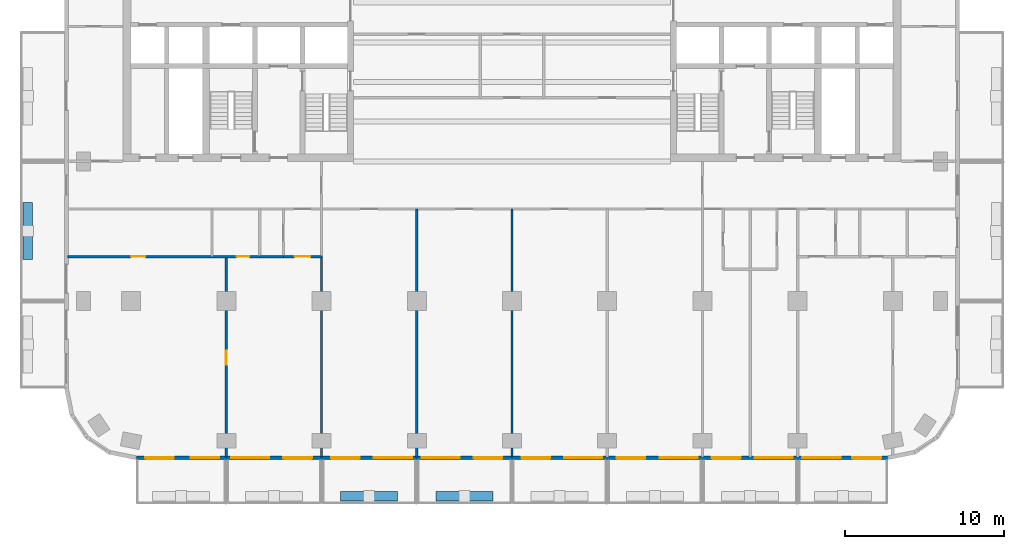
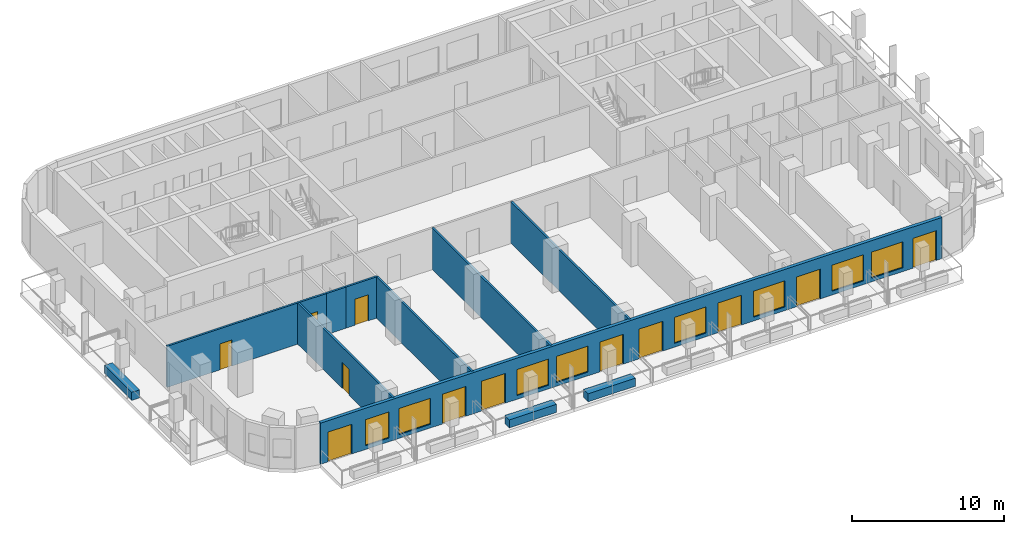
# One storey, part 2 of 11: 12 doors, 11 walls, 8 windows, 20 openings.
"""IFC4 building model written with IfcOpenShell, lengths in metres."""

from ifc_helpers import new_model, si_unit, direction, frame, frame_2d, origin, place, context, subcontext, project, spatial, rectangle, extrude, material, layer, layer_set, type_object, element, fill, save


model = new_model("IFC4")

# Units and contexts
model_context = context("Model", 3, precision=1e-05, world=origin(), true_north=direction((0.0, 1.0)))
body_context = subcontext(model_context, "Body", "Model", "MODEL_VIEW")
ifc_project = project(units=[si_unit("LENGTHUNIT", "METRE"), si_unit("AREAUNIT", "SQUARE_METRE"), si_unit("VOLUMEUNIT", "CUBIC_METRE"), si_unit("PLANEANGLEUNIT", "RADIAN"), si_unit("MASSUNIT", "GRAM", prefix="KILO")], contexts=[model_context])

# Site, building, storey
site_placement = place(None, origin())
site = spatial("IfcSite", under=ifc_project, at=site_placement, CompositionType="ELEMENT")
building_placement = place(site_placement, origin())
building = spatial("IfcBuilding", under=site, at=building_placement, Name="Torana Hotel and Residences", CompositionType="ELEMENT")
storey_placement = place(building_placement, frame((0.0, 0.0, 163.199951171875)))
storey = spatial("IfcBuildingStorey", under=building, at=storey_placement, Name="L42", CompositionType="ELEMENT", Elevation=163.199951171875)

# Wall, openings, doors, windows
ifc_material_1 = material(Name="Black aluminium composite panel", Category="aluminium")
ifc_layer_1 = layer(ifc_material_1, 0.00390625, Name="Cladding", Category="cladding")
ifc_material_2 = material(Name="Ventilated air cavity")
ifc_layer_2 = layer(ifc_material_2, 0.0400390625, Name="Ventilated cavity", Category="cavity")
ifc_material_3 = material(Name="Mineral wool insulation")
ifc_layer_3 = layer(ifc_material_3, 0.090087890625, Name="Insulation", Category="insulation")
ifc_material_4 = material(Name="Steel S280GD", Category="steel")
ifc_layer_4 = layer(ifc_material_4, 0.092041015625, Name="Steel stud frame", Category="structure")
ifc_material_5 = material(Name="Fire rated plasterboard")
ifc_layer_5 = layer(ifc_material_5, 0.011962890625, Name="Inner board", Category="finish")
ifc_layer_6 = layer(ifc_material_5, 0.011962890625, Name="Second board", Category="finish")
ifc_layer_set_1 = layer_set([ifc_layer_1, ifc_layer_2, ifc_layer_3, ifc_layer_4, ifc_layer_5, ifc_layer_6], Name="EW1 EXTERNAL WALL BLACK METAL CLAD 250")
wall_type_1 = type_object("IfcWallType", Name="EW1 EXTERNAL WALL BLACK METAL CLAD 250", PredefinedType="SOLIDWALL", material=ifc_layer_set_1)
wall_1_placement = place(storey_placement, frame((-23.67529296875, -33.675048828125, 0.0), z_axis=(0.0, 0.0, 1.0), x_axis=(1.0, 0.0, 0.0)))
wall_1 = element("IfcWall", 1, at=wall_1_placement, inside=storey, type_object=wall_type_1, Name="External wall L42 e0.14", PredefinedType="SOLIDWALL", context=body_context, shape_type="SweptSolid", body=[
    extrude(rectangle(XDim=47.3505859375, YDim=0.25, at=frame_2d((23.67529296875, 0.0))), origin(), (0.0, 0.0, 1.0), 3.320068359375),
])
opening_1_placement = place(wall_1_placement, frame((0.575439453125, 0.0, 0.0)))
opening_1 = element("IfcOpeningElement", 2, at=opening_1_placement, cuts=wall_1, Name="Opening L42-E01", PredefinedType="OPENING", context=body_context, shape_type="SweptSolid", body=[
    extrude(rectangle(XDim=1.800048828125, YDim=2.39990234375, at=frame_2d((0.89990234375, 1.199951171875))), frame((0.0, 0.135009765625, 0.0), z_axis=(0.0, -1.0, 0.0), x_axis=(1.0, 0.0, 0.0)), (0.0, 0.0, 1.0), 0.27001953125),
])
opening_2_placement = place(wall_1_placement, frame((3.42529296875, 0.0, 0.300048828125)))
opening_2 = element("IfcOpeningElement", 3, at=opening_2_placement, cuts=wall_1, Name="Opening W2", PredefinedType="OPENING", context=body_context, shape_type="SweptSolid", body=[
    extrude(rectangle(XDim=1.800048828125, YDim=2.10009765625, at=frame_2d((0.89990234375, 1.050048828125))), frame((0.0, 0.135009765625, 0.0), z_axis=(0.0, -1.0, 0.0), x_axis=(1.0, 0.0, 0.0)), (0.0, 0.0, 1.0), 0.27001953125),
])
opening_3_placement = place(wall_1_placement, frame((5.975341796875, 0.0, 0.300048828125)))
opening_3 = element("IfcOpeningElement", 4, at=opening_3_placement, cuts=wall_1, Name="Opening W1", PredefinedType="OPENING", context=body_context, shape_type="SweptSolid", body=[
    extrude(rectangle(XDim=2.39990234375, YDim=2.10009765625, at=frame_2d((1.199951171875, 1.050048828125))), frame((0.0, 0.135009765625, 0.0), z_axis=(0.0, -1.0, 0.0), x_axis=(1.0, 0.0, 0.0)), (0.0, 0.0, 1.0), 0.27001953125),
])
opening_4_placement = place(wall_1_placement, frame((9.275390625, 0.0, 0.0)))
opening_4 = element("IfcOpeningElement", 5, at=opening_4_placement, cuts=wall_1, Name="Opening L42-E02", PredefinedType="OPENING", context=body_context, shape_type="SweptSolid", body=[
    extrude(rectangle(XDim=1.800048828125, YDim=2.39990234375, at=frame_2d((0.89990234375, 1.199951171875))), frame((0.0, 0.135009765625, 0.0), z_axis=(0.0, -1.0, 0.0), x_axis=(1.0, 0.0, 0.0)), (0.0, 0.0, 1.0), 0.27001953125),
])
opening_5_placement = place(wall_1_placement, frame((12.275390625, 0.0, 0.0)))
opening_5 = element("IfcOpeningElement", 6, at=opening_5_placement, cuts=wall_1, Name="Opening L42-E03", PredefinedType="OPENING", context=body_context, shape_type="SweptSolid", body=[
    extrude(rectangle(XDim=1.800048828125, YDim=2.39990234375, at=frame_2d((0.89990234375, 1.199951171875))), frame((0.0, 0.135009765625, 0.0), z_axis=(0.0, -1.0, 0.0), x_axis=(1.0, 0.0, 0.0)), (0.0, 0.0, 1.0), 0.27001953125),
])
opening_6_placement = place(wall_1_placement, frame((14.975341796875, 0.0, 0.300048828125)))
opening_6 = element("IfcOpeningElement", 7, at=opening_6_placement, cuts=wall_1, Name="Opening W1", PredefinedType="OPENING", context=body_context, shape_type="SweptSolid", body=[
    extrude(rectangle(XDim=2.39990234375, YDim=2.10009765625, at=frame_2d((1.199951171875, 1.050048828125))), frame((0.0, 0.135009765625, 0.0), z_axis=(0.0, -1.0, 0.0), x_axis=(1.0, 0.0, 0.0)), (0.0, 0.0, 1.0), 0.27001953125),
])
opening_7_placement = place(wall_1_placement, frame((17.975341796875, 0.0, 0.300048828125)))
opening_7 = element("IfcOpeningElement", 8, at=opening_7_placement, cuts=wall_1, Name="Opening W1", PredefinedType="OPENING", context=body_context, shape_type="SweptSolid", body=[
    extrude(rectangle(XDim=2.39990234375, YDim=2.10009765625, at=frame_2d((1.199951171875, 1.050048828125))), frame((0.0, 0.135009765625, 0.0), z_axis=(0.0, -1.0, 0.0), x_axis=(1.0, 0.0, 0.0)), (0.0, 0.0, 1.0), 0.27001953125),
])
opening_8_placement = place(wall_1_placement, frame((21.275390625, 0.0, 0.0)))
opening_8 = element("IfcOpeningElement", 9, at=opening_8_placement, cuts=wall_1, Name="Opening L42-E04", PredefinedType="OPENING", context=body_context, shape_type="SweptSolid", body=[
    extrude(rectangle(XDim=1.800048828125, YDim=2.39990234375, at=frame_2d((0.89990234375, 1.199951171875))), frame((0.0, 0.135009765625, 0.0), z_axis=(0.0, -1.0, 0.0), x_axis=(1.0, 0.0, 0.0)), (0.0, 0.0, 1.0), 0.27001953125),
])
opening_9_placement = place(wall_1_placement, frame((24.275390625, 0.0, 0.0)))
opening_9 = element("IfcOpeningElement", 10, at=opening_9_placement, cuts=wall_1, Name="Opening L42-E05", PredefinedType="OPENING", context=body_context, shape_type="SweptSolid", body=[
    extrude(rectangle(XDim=1.800048828125, YDim=2.39990234375, at=frame_2d((0.89990234375, 1.199951171875))), frame((0.0, 0.135009765625, 0.0), z_axis=(0.0, -1.0, 0.0), x_axis=(1.0, 0.0, 0.0)), (0.0, 0.0, 1.0), 0.27001953125),
])
opening_10_placement = place(wall_1_placement, frame((26.975341796875, 0.0, 0.300048828125)))
opening_10 = element("IfcOpeningElement", 11, at=opening_10_placement, cuts=wall_1, Name="Opening W1", PredefinedType="OPENING", context=body_context, shape_type="SweptSolid", body=[
    extrude(rectangle(XDim=2.39990234375, YDim=2.10009765625, at=frame_2d((1.199951171875, 1.050048828125))), frame((0.0, 0.135009765625, 0.0), z_axis=(0.0, -1.0, 0.0), x_axis=(1.0, 0.0, 0.0)), (0.0, 0.0, 1.0), 0.27001953125),
])
opening_11_placement = place(wall_1_placement, frame((30.275390625, 0.0, 0.0)))
opening_11 = element("IfcOpeningElement", 12, at=opening_11_placement, cuts=wall_1, Name="Opening L42-E06", PredefinedType="OPENING", context=body_context, shape_type="SweptSolid", body=[
    extrude(rectangle(XDim=1.800048828125, YDim=2.39990234375, at=frame_2d((0.89990234375, 1.199951171875))), frame((0.0, 0.135009765625, 0.0), z_axis=(0.0, -1.0, 0.0), x_axis=(1.0, 0.0, 0.0)), (0.0, 0.0, 1.0), 0.27001953125),
])
opening_12_placement = place(wall_1_placement, frame((32.975341796875, 0.0, 0.300048828125)))
opening_12 = element("IfcOpeningElement", 13, at=opening_12_placement, cuts=wall_1, Name="Opening W1", PredefinedType="OPENING", context=body_context, shape_type="SweptSolid", body=[
    extrude(rectangle(XDim=2.39990234375, YDim=2.10009765625, at=frame_2d((1.199951171875, 1.050048828125))), frame((0.0, 0.135009765625, 0.0), z_axis=(0.0, -1.0, 0.0), x_axis=(1.0, 0.0, 0.0)), (0.0, 0.0, 1.0), 0.27001953125),
])
opening_13_placement = place(wall_1_placement, frame((36.275390625, 0.0, 0.0)))
opening_13 = element("IfcOpeningElement", 14, at=opening_13_placement, cuts=wall_1, Name="Opening L42-E07", PredefinedType="OPENING", context=body_context, shape_type="SweptSolid", body=[
    extrude(rectangle(XDim=1.800048828125, YDim=2.39990234375, at=frame_2d((0.89990234375, 1.199951171875))), frame((0.0, 0.135009765625, 0.0), z_axis=(0.0, -1.0, 0.0), x_axis=(1.0, 0.0, 0.0)), (0.0, 0.0, 1.0), 0.27001953125),
])
opening_14_placement = place(wall_1_placement, frame((38.975341796875, 0.0, 0.300048828125)))
opening_14 = element("IfcOpeningElement", 15, at=opening_14_placement, cuts=wall_1, Name="Opening W1", PredefinedType="OPENING", context=body_context, shape_type="SweptSolid", body=[
    extrude(rectangle(XDim=2.39990234375, YDim=2.10009765625, at=frame_2d((1.199951171875, 1.050048828125))), frame((0.0, 0.135009765625, 0.0), z_axis=(0.0, -1.0, 0.0), x_axis=(1.0, 0.0, 0.0)), (0.0, 0.0, 1.0), 0.27001953125),
])
opening_15_placement = place(wall_1_placement, frame((41.975341796875, 0.0, 0.300048828125)))
opening_15 = element("IfcOpeningElement", 16, at=opening_15_placement, cuts=wall_1, Name="Opening W1", PredefinedType="OPENING", context=body_context, shape_type="SweptSolid", body=[
    extrude(rectangle(XDim=2.39990234375, YDim=2.10009765625, at=frame_2d((1.199951171875, 1.050048828125))), frame((0.0, 0.135009765625, 0.0), z_axis=(0.0, -1.0, 0.0), x_axis=(1.0, 0.0, 0.0)), (0.0, 0.0, 1.0), 0.27001953125),
])
opening_16_placement = place(wall_1_placement, frame((45.12548828125, 0.0, 0.0)))
opening_16 = element("IfcOpeningElement", 17, at=opening_16_placement, cuts=wall_1, Name="Opening L42-E08", PredefinedType="OPENING", context=body_context, shape_type="SweptSolid", body=[
    extrude(rectangle(XDim=1.800048828125, YDim=2.39990234375, at=frame_2d((0.89990234375, 1.199951171875))), frame((0.0, 0.135009765625, 0.0), z_axis=(0.0, -1.0, 0.0), x_axis=(1.0, 0.0, 0.0)), (0.0, 0.0, 1.0), 0.27001953125),
])
ifc_material_6 = material(Name="Dark glass in black aluminium frame", Category="aluminium")
door_type_1 = type_object("IfcDoorType", Name="DB1 BALCONY DOOR 1800x2400", OperationType="DOUBLE_DOOR_SINGLE_SWING", PredefinedType="DOOR", material=ifc_material_6)
door_1_placement = place(opening_1_placement, origin())
door_1 = element("IfcDoor", 18, at=door_1_placement, inside=storey, type_object=door_type_1, Name="Balcony door L42", OperationType="DOUBLE_DOOR_SINGLE_SWING", OverallHeight=2.39990234375, OverallWidth=1.800048828125, PredefinedType="DOOR", context=body_context, shape_type="SweptSolid", body=[
    extrude(rectangle(XDim=1.800048828125, YDim=2.39990234375, at=frame_2d((0.89990234375, 1.199951171875))), frame((0.0, 0.02490234375, 0.0), z_axis=(0.0, -1.0, 0.0), x_axis=(1.0, 0.0, 0.0)), (0.0, 0.0, 1.0), 0.050048828125),
])
fill(opening_1, door_1)
door_2_placement = place(opening_4_placement, origin())
door_2 = element("IfcDoor", 19, at=door_2_placement, inside=storey, type_object=door_type_1, Name="Balcony door L42", OperationType="DOUBLE_DOOR_SINGLE_SWING", OverallHeight=2.39990234375, OverallWidth=1.800048828125, PredefinedType="DOOR", context=body_context, shape_type="SweptSolid", body=[
    extrude(rectangle(XDim=1.800048828125, YDim=2.39990234375, at=frame_2d((0.89990234375, 1.199951171875))), frame((0.0, 0.02490234375, 0.0), z_axis=(0.0, -1.0, 0.0), x_axis=(1.0, 0.0, 0.0)), (0.0, 0.0, 1.0), 0.050048828125),
])
fill(opening_4, door_2)
door_3_placement = place(opening_5_placement, origin())
door_3 = element("IfcDoor", 20, at=door_3_placement, inside=storey, type_object=door_type_1, Name="Balcony door L42", OperationType="DOUBLE_DOOR_SINGLE_SWING", OverallHeight=2.39990234375, OverallWidth=1.800048828125, PredefinedType="DOOR", context=body_context, shape_type="SweptSolid", body=[
    extrude(rectangle(XDim=1.800048828125, YDim=2.39990234375, at=frame_2d((0.89990234375, 1.199951171875))), frame((0.0, 0.02490234375, 0.0), z_axis=(0.0, -1.0, 0.0), x_axis=(1.0, 0.0, 0.0)), (0.0, 0.0, 1.0), 0.050048828125),
])
fill(opening_5, door_3)
door_4_placement = place(opening_8_placement, origin())
door_4 = element("IfcDoor", 21, at=door_4_placement, inside=storey, type_object=door_type_1, Name="Balcony door L42", OperationType="DOUBLE_DOOR_SINGLE_SWING", OverallHeight=2.39990234375, OverallWidth=1.800048828125, PredefinedType="DOOR", context=body_context, shape_type="SweptSolid", body=[
    extrude(rectangle(XDim=1.800048828125, YDim=2.39990234375, at=frame_2d((0.89990234375, 1.199951171875))), frame((0.0, 0.02490234375, 0.0), z_axis=(0.0, -1.0, 0.0), x_axis=(1.0, 0.0, 0.0)), (0.0, 0.0, 1.0), 0.050048828125),
])
fill(opening_8, door_4)
door_5_placement = place(opening_9_placement, origin())
door_5 = element("IfcDoor", 22, at=door_5_placement, inside=storey, type_object=door_type_1, Name="Balcony door L42", OperationType="DOUBLE_DOOR_SINGLE_SWING", OverallHeight=2.39990234375, OverallWidth=1.800048828125, PredefinedType="DOOR", context=body_context, shape_type="SweptSolid", body=[
    extrude(rectangle(XDim=1.800048828125, YDim=2.39990234375, at=frame_2d((0.89990234375, 1.199951171875))), frame((0.0, 0.02490234375, 0.0), z_axis=(0.0, -1.0, 0.0), x_axis=(1.0, 0.0, 0.0)), (0.0, 0.0, 1.0), 0.050048828125),
])
fill(opening_9, door_5)
door_6_placement = place(opening_11_placement, origin())
door_6 = element("IfcDoor", 23, at=door_6_placement, inside=storey, type_object=door_type_1, Name="Balcony door L42", OperationType="DOUBLE_DOOR_SINGLE_SWING", OverallHeight=2.39990234375, OverallWidth=1.800048828125, PredefinedType="DOOR", context=body_context, shape_type="SweptSolid", body=[
    extrude(rectangle(XDim=1.800048828125, YDim=2.39990234375, at=frame_2d((0.89990234375, 1.199951171875))), frame((0.0, 0.02490234375, 0.0), z_axis=(0.0, -1.0, 0.0), x_axis=(1.0, 0.0, 0.0)), (0.0, 0.0, 1.0), 0.050048828125),
])
fill(opening_11, door_6)
door_7_placement = place(opening_13_placement, origin())
door_7 = element("IfcDoor", 24, at=door_7_placement, inside=storey, type_object=door_type_1, Name="Balcony door L42", OperationType="DOUBLE_DOOR_SINGLE_SWING", OverallHeight=2.39990234375, OverallWidth=1.800048828125, PredefinedType="DOOR", context=body_context, shape_type="SweptSolid", body=[
    extrude(rectangle(XDim=1.800048828125, YDim=2.39990234375, at=frame_2d((0.89990234375, 1.199951171875))), frame((0.0, 0.02490234375, 0.0), z_axis=(0.0, -1.0, 0.0), x_axis=(1.0, 0.0, 0.0)), (0.0, 0.0, 1.0), 0.050048828125),
])
fill(opening_13, door_7)
door_8_placement = place(opening_16_placement, origin())
door_8 = element("IfcDoor", 25, at=door_8_placement, inside=storey, type_object=door_type_1, Name="Balcony door L42", OperationType="DOUBLE_DOOR_SINGLE_SWING", OverallHeight=2.39990234375, OverallWidth=1.800048828125, PredefinedType="DOOR", context=body_context, shape_type="SweptSolid", body=[
    extrude(rectangle(XDim=1.800048828125, YDim=2.39990234375, at=frame_2d((0.89990234375, 1.199951171875))), frame((0.0, 0.02490234375, 0.0), z_axis=(0.0, -1.0, 0.0), x_axis=(1.0, 0.0, 0.0)), (0.0, 0.0, 1.0), 0.050048828125),
])
fill(opening_16, door_8)
ifc_material_7 = material(Name="Dark glass in black aluminium frame", Category="aluminium")
window_type_1 = type_object("IfcWindowType", Name="W1 HOTEL ROOM WINDOW 2400x2100", PartitioningType="SINGLE_PANEL", PredefinedType="WINDOW", material=ifc_material_7)
window_1_placement = place(opening_3_placement, origin())
window_1 = element("IfcWindow", 26, at=window_1_placement, inside=storey, type_object=window_type_1, Name="Window L42", OverallHeight=2.10009765625, OverallWidth=2.39990234375, PartitioningType="SINGLE_PANEL", PredefinedType="WINDOW", context=body_context, shape_type="SweptSolid", body=[
    extrude(rectangle(XDim=2.39990234375, YDim=2.10009765625, at=frame_2d((1.199951171875, 1.050048828125))), frame((0.0, 0.030029296875, 0.0), z_axis=(0.0, -1.0, 0.0), x_axis=(1.0, 0.0, 0.0)), (0.0, 0.0, 1.0), 0.06005859375),
])
fill(opening_3, window_1)
window_2_placement = place(opening_6_placement, origin())
window_2 = element("IfcWindow", 27, at=window_2_placement, inside=storey, type_object=window_type_1, Name="Window L42", OverallHeight=2.10009765625, OverallWidth=2.39990234375, PartitioningType="SINGLE_PANEL", PredefinedType="WINDOW", context=body_context, shape_type="SweptSolid", body=[
    extrude(rectangle(XDim=2.39990234375, YDim=2.10009765625, at=frame_2d((1.199951171875, 1.050048828125))), frame((0.0, 0.030029296875, 0.0), z_axis=(0.0, -1.0, 0.0), x_axis=(1.0, 0.0, 0.0)), (0.0, 0.0, 1.0), 0.06005859375),
])
fill(opening_6, window_2)
window_3_placement = place(opening_7_placement, origin())
window_3 = element("IfcWindow", 28, at=window_3_placement, inside=storey, type_object=window_type_1, Name="Window L42", OverallHeight=2.10009765625, OverallWidth=2.39990234375, PartitioningType="SINGLE_PANEL", PredefinedType="WINDOW", context=body_context, shape_type="SweptSolid", body=[
    extrude(rectangle(XDim=2.39990234375, YDim=2.10009765625, at=frame_2d((1.199951171875, 1.050048828125))), frame((0.0, 0.030029296875, 0.0), z_axis=(0.0, -1.0, 0.0), x_axis=(1.0, 0.0, 0.0)), (0.0, 0.0, 1.0), 0.06005859375),
])
fill(opening_7, window_3)
window_4_placement = place(opening_10_placement, origin())
window_4 = element("IfcWindow", 29, at=window_4_placement, inside=storey, type_object=window_type_1, Name="Window L42", OverallHeight=2.10009765625, OverallWidth=2.39990234375, PartitioningType="SINGLE_PANEL", PredefinedType="WINDOW", context=body_context, shape_type="SweptSolid", body=[
    extrude(rectangle(XDim=2.39990234375, YDim=2.10009765625, at=frame_2d((1.199951171875, 1.050048828125))), frame((0.0, 0.030029296875, 0.0), z_axis=(0.0, -1.0, 0.0), x_axis=(1.0, 0.0, 0.0)), (0.0, 0.0, 1.0), 0.06005859375),
])
fill(opening_10, window_4)
window_5_placement = place(opening_12_placement, origin())
window_5 = element("IfcWindow", 30, at=window_5_placement, inside=storey, type_object=window_type_1, Name="Window L42", OverallHeight=2.10009765625, OverallWidth=2.39990234375, PartitioningType="SINGLE_PANEL", PredefinedType="WINDOW", context=body_context, shape_type="SweptSolid", body=[
    extrude(rectangle(XDim=2.39990234375, YDim=2.10009765625, at=frame_2d((1.199951171875, 1.050048828125))), frame((0.0, 0.030029296875, 0.0), z_axis=(0.0, -1.0, 0.0), x_axis=(1.0, 0.0, 0.0)), (0.0, 0.0, 1.0), 0.06005859375),
])
fill(opening_12, window_5)
window_6_placement = place(opening_14_placement, origin())
window_6 = element("IfcWindow", 31, at=window_6_placement, inside=storey, type_object=window_type_1, Name="Window L42", OverallHeight=2.10009765625, OverallWidth=2.39990234375, PartitioningType="SINGLE_PANEL", PredefinedType="WINDOW", context=body_context, shape_type="SweptSolid", body=[
    extrude(rectangle(XDim=2.39990234375, YDim=2.10009765625, at=frame_2d((1.199951171875, 1.050048828125))), frame((0.0, 0.030029296875, 0.0), z_axis=(0.0, -1.0, 0.0), x_axis=(1.0, 0.0, 0.0)), (0.0, 0.0, 1.0), 0.06005859375),
])
fill(opening_14, window_6)
window_7_placement = place(opening_15_placement, origin())
window_7 = element("IfcWindow", 32, at=window_7_placement, inside=storey, type_object=window_type_1, Name="Window L42", OverallHeight=2.10009765625, OverallWidth=2.39990234375, PartitioningType="SINGLE_PANEL", PredefinedType="WINDOW", context=body_context, shape_type="SweptSolid", body=[
    extrude(rectangle(XDim=2.39990234375, YDim=2.10009765625, at=frame_2d((1.199951171875, 1.050048828125))), frame((0.0, 0.030029296875, 0.0), z_axis=(0.0, -1.0, 0.0), x_axis=(1.0, 0.0, 0.0)), (0.0, 0.0, 1.0), 0.06005859375),
])
fill(opening_15, window_7)
ifc_material_8 = material(Name="Dark glass in black aluminium frame", Category="aluminium")
window_type_2 = type_object("IfcWindowType", Name="W2 HOTEL ROOM WINDOW NARROW 1800x2100", PartitioningType="SINGLE_PANEL", PredefinedType="WINDOW", material=ifc_material_8)
window_8_placement = place(opening_2_placement, origin())
window_8 = element("IfcWindow", 33, at=window_8_placement, inside=storey, type_object=window_type_2, Name="Window L42", OverallHeight=2.10009765625, OverallWidth=1.800048828125, PartitioningType="SINGLE_PANEL", PredefinedType="WINDOW", context=body_context, shape_type="SweptSolid", body=[
    extrude(rectangle(XDim=1.800048828125, YDim=2.10009765625, at=frame_2d((0.89990234375, 1.050048828125))), frame((0.0, 0.030029296875, 0.0), z_axis=(0.0, -1.0, 0.0), x_axis=(1.0, 0.0, 0.0)), (0.0, 0.0, 1.0), 0.06005859375),
])
fill(opening_2, window_8)

# Wall, opening, door
ifc_material_9 = material(Name="Gypsum plaster")
ifc_layer_7 = layer(ifc_material_9, 0.014892578125, Name="Plaster", Category="finish")
ifc_material_10 = material(Name="Concrete blockwork", Category="masonry")
ifc_layer_8 = layer(ifc_material_10, 0.1201171875, Name="Blockwork", Category="structure")
ifc_layer_9 = layer(ifc_material_9, 0.014892578125, Name="Plaster", Category="finish")
ifc_layer_set_2 = layer_set([ifc_layer_7, ifc_layer_8, ifc_layer_9], Name="FIRE PARTITION 150 BLOCKWORK")
wall_type_2 = type_object("IfcWallType", Name="FIRE PARTITION 150 BLOCKWORK", PredefinedType="PARTITIONING", material=ifc_layer_set_2)
wall_2_placement = place(storey_placement, frame((-14.39990234375, -21.0, 0.0), z_axis=(0.0, 0.0, 1.0), x_axis=(1.0, 0.0, 0.0)))
wall_2 = element("IfcWall", 34, at=wall_2_placement, inside=storey, type_object=wall_type_2, Name="Partition L42", PredefinedType="PARTITIONING", context=body_context, shape_type="SweptSolid", body=[
    extrude(rectangle(XDim=2.39990234375, YDim=0.14990234375, at=frame_2d((1.199951171875, 0.0))), origin(), (0.0, 0.0, 1.0), 3.320068359375),
])
opening_17_placement = place(wall_2_placement, frame((0.699951171875, 0.0, 0.0)))
opening_17 = element("IfcOpeningElement", 35, at=opening_17_placement, cuts=wall_2, Name="Opening L42-54", PredefinedType="OPENING", context=body_context, shape_type="SweptSolid", body=[
    extrude(rectangle(XDim=1.0, YDim=2.10009765625, at=frame_2d((0.5, 1.050048828125))), frame((0.0, 0.0849609375, 0.0), z_axis=(0.0, -1.0, 0.0), x_axis=(1.0, 0.0, 0.0)), (0.0, 0.0, 1.0), 0.169921875),
])
ifc_material_11 = material(Name="Steel S235", Category="steel")
door_type_2 = type_object("IfcDoorType", Name="ENTRY FIRE DOOR D6 1000x2100", OperationType="SINGLE_SWING_LEFT", PredefinedType="DOOR", material=ifc_material_11)
door_9_placement = place(opening_17_placement, frame((0.5, 0.0, 0.0), z_axis=(0.0, 0.0, 1.0), x_axis=(-1.0, 0.0, 0.0)))
door_9 = element("IfcDoor", 36, at=door_9_placement, inside=storey, type_object=door_type_2, Name="Door L42", OperationType="SINGLE_SWING_RIGHT", OverallHeight=2.10009765625, OverallWidth=1.0, PredefinedType="DOOR", context=body_context, shape_type="SweptSolid", body=[
    extrude(rectangle(XDim=1.0, YDim=2.10009765625, at=frame_2d((0.0, 1.050048828125))), frame((0.0, -0.02490234375, 0.0), z_axis=(0.0, 1.0, 0.0), x_axis=(-1.0, 0.0, 0.0)), (0.0, 0.0, 1.0), 0.050048828125),
])
fill(opening_17, door_9)

# Walls
ifc_material_12 = material(Name="Gypsum plasterboard")
ifc_layer_10 = layer(ifc_material_12, 0.012451171875, Name="Plasterboard", Category="finish")
ifc_layer_11 = layer(ifc_material_12, 0.012451171875, Name="Plasterboard", Category="finish")
ifc_layer_12 = layer(ifc_material_4, 0.10009765625, Name="Steel studs with mineral wool", Category="insulation")
ifc_layer_13 = layer(ifc_material_12, 0.012451171875, Name="Plasterboard", Category="finish")
ifc_layer_14 = layer(ifc_material_12, 0.012451171875, Name="Plasterboard", Category="finish")
ifc_layer_set_3 = layer_set([ifc_layer_10, ifc_layer_11, ifc_layer_12, ifc_layer_13, ifc_layer_14], Name="PARTITION 150 PLASTERBOARD")
wall_type_3 = type_object("IfcWallType", Name="PARTITION 150 PLASTERBOARD", PredefinedType="PARTITIONING", material=ifc_layer_set_3)
for number, where, z_axis, x_axis, name in (
    (37, (0.0, -33.6201171875, 0.0), (0.0, 0.0, 1.0), (0.0, 1.0, 0.0), "Partition L42"),
    (38, (-6.0, -33.6201171875, 0.0), (0.0, 0.0, 1.0), (0.0, 1.0, 0.0), "Partition L42"),
):
    element("IfcWall", number, at=place(storey_placement, frame(where, z_axis=z_axis, x_axis=x_axis)), inside=storey, type_object=wall_type_3, Name=name, PredefinedType="PARTITIONING", context=body_context, shape_type="SweptSolid", body=[
        extrude(rectangle(XDim=15.6201171875, YDim=0.14990234375, at=frame_2d((7.81005859375, 0.0))), origin(), (0.0, 0.0, 1.0), 3.320068359375),
    ])
wall_3_placement = place(storey_placement, frame((-12.0, -33.6201171875, 0.0), z_axis=(0.0, 0.0, 1.0), x_axis=(0.0, 1.0, 0.0)))
element("IfcWall", 39, at=wall_3_placement, inside=storey, type_object=wall_type_3, Name="Partition L42", PredefinedType="PARTITIONING", context=body_context, shape_type="SweptSolid", body=[
    extrude(rectangle(XDim=12.6201171875, YDim=0.14990234375, at=frame_2d((6.31005859375, 0.0))), origin(), (0.0, 0.0, 1.0), 3.320068359375),
])

# Wall, opening, door
wall_4_placement = place(storey_placement, frame((-18.0, -33.6201171875, 0.0), z_axis=(0.0, 0.0, 1.0), x_axis=(0.0, 1.0, 0.0)))
wall_4 = element("IfcWall", 40, at=wall_4_placement, inside=storey, type_object=wall_type_3, Name="Partition L42", PredefinedType="PARTITIONING", context=body_context, shape_type="SweptSolid", body=[
    extrude(rectangle(XDim=12.6201171875, YDim=0.14990234375, at=frame_2d((6.31005859375, 0.0))), origin(), (0.0, 0.0, 1.0), 3.320068359375),
])
opening_18_placement = place(wall_4_placement, frame((5.7900390625, 0.0, 0.0)))
opening_18 = element("IfcOpeningElement", 41, at=opening_18_placement, cuts=wall_4, Name="Opening L42-57", PredefinedType="OPENING", context=body_context, shape_type="SweptSolid", body=[
    extrude(rectangle(XDim=0.89990234375, YDim=2.10009765625, at=frame_2d((0.449951171875, 1.050048828125))), frame((0.0, 0.0849609375, 0.0), z_axis=(0.0, -1.0, 0.0), x_axis=(1.0, 0.0, 0.0)), (0.0, 0.0, 1.0), 0.169921875),
])
ifc_material_13 = material(Name="Timber door, oiled ash", Category="wood")
door_type_3 = type_object("IfcDoorType", Name="ROOM DOOR D7 900x2100", OperationType="SINGLE_SWING_LEFT", PredefinedType="DOOR", material=ifc_material_13)
door_10_placement = place(opening_18_placement, origin())
door_10 = element("IfcDoor", 42, at=door_10_placement, inside=storey, type_object=door_type_3, Name="Door L42", OperationType="SINGLE_SWING_RIGHT", OverallHeight=2.10009765625, OverallWidth=0.89990234375, PredefinedType="DOOR", context=body_context, shape_type="SweptSolid", body=[
    extrude(rectangle(XDim=0.89990234375, YDim=2.10009765625, at=frame_2d((0.449951171875, 1.050048828125))), frame((0.0, 0.02490234375, 0.0), z_axis=(0.0, -1.0, 0.0), x_axis=(1.0, 0.0, 0.0)), (0.0, 0.0, 1.0), 0.050048828125),
])
fill(opening_18, door_10)

# Wall, openings, doors
wall_5_placement = place(storey_placement, frame((-28.02001953125, -21.0, 0.0), z_axis=(0.0, 0.0, 1.0), x_axis=(1.0, 0.0, 0.0)))
wall_5 = element("IfcWall", 43, at=wall_5_placement, inside=storey, type_object=wall_type_3, Name="Partition L42", PredefinedType="PARTITIONING", context=body_context, shape_type="SweptSolid", body=[
    extrude(rectangle(XDim=12.1201171875, YDim=0.14990234375, at=frame_2d((6.06005859375, 0.0))), origin(), (0.0, 0.0, 1.0), 3.320068359375),
])
opening_19_placement = place(wall_5_placement, frame((10.669921875, 0.0, 0.0)))
opening_19 = element("IfcOpeningElement", 44, at=opening_19_placement, cuts=wall_5, Name="Opening L42-55", PredefinedType="OPENING", context=body_context, shape_type="SweptSolid", body=[
    extrude(rectangle(XDim=0.800048828125, YDim=2.10009765625, at=frame_2d((0.39990234375, 1.050048828125))), frame((0.0, 0.0849609375, 0.0), z_axis=(0.0, -1.0, 0.0), x_axis=(1.0, 0.0, 0.0)), (0.0, 0.0, 1.0), 0.169921875),
])
opening_20_placement = place(wall_5_placement, frame((4.02001953125, 0.0, 0.0)))
opening_20 = element("IfcOpeningElement", 45, at=opening_20_placement, cuts=wall_5, Name="Opening L42-56", PredefinedType="OPENING", context=body_context, shape_type="SweptSolid", body=[
    extrude(rectangle(XDim=0.89990234375, YDim=2.10009765625, at=frame_2d((0.449951171875, 1.050048828125))), frame((0.0, 0.0849609375, 0.0), z_axis=(0.0, -1.0, 0.0), x_axis=(1.0, 0.0, 0.0)), (0.0, 0.0, 1.0), 0.169921875),
])
ifc_material_14 = material(Name="Timber door, painted", Category="wood")
door_type_4 = type_object("IfcDoorType", Name="BATH DOOR D13 800x2100", OperationType="SINGLE_SWING_LEFT", PredefinedType="DOOR", material=ifc_material_14)
door_11_placement = place(opening_19_placement, origin())
door_11 = element("IfcDoor", 46, at=door_11_placement, inside=storey, type_object=door_type_4, Name="Door L42", OperationType="SINGLE_SWING_LEFT", OverallHeight=2.10009765625, OverallWidth=0.800048828125, PredefinedType="DOOR", context=body_context, shape_type="SweptSolid", body=[
    extrude(rectangle(XDim=0.800048828125, YDim=2.10009765625, at=frame_2d((0.39990234375, 1.050048828125))), frame((0.0, 0.02490234375, 0.0), z_axis=(0.0, -1.0, 0.0), x_axis=(1.0, 0.0, 0.0)), (0.0, 0.0, 1.0), 0.050048828125),
])
fill(opening_19, door_11)
door_12_placement = place(opening_20_placement, origin())
door_12 = element("IfcDoor", 47, at=door_12_placement, inside=storey, type_object=door_type_3, Name="Door L42", OperationType="SINGLE_SWING_RIGHT", OverallHeight=2.10009765625, OverallWidth=0.89990234375, PredefinedType="DOOR", context=body_context, shape_type="SweptSolid", body=[
    extrude(rectangle(XDim=0.89990234375, YDim=2.10009765625, at=frame_2d((0.449951171875, 1.050048828125))), frame((0.0, 0.02490234375, 0.0), z_axis=(0.0, -1.0, 0.0), x_axis=(1.0, 0.0, 0.0)), (0.0, 0.0, 1.0), 0.050048828125),
])
fill(opening_20, door_12)

# Walls
ifc_material_15 = material(Name="Concrete C40/50 precast", Category="concrete")
ifc_layer_15 = layer(ifc_material_15, 0.10009765625, Name="Planter shell", Category="structure")
ifc_material_16 = material(Name="Root resistant membrane")
ifc_layer_16 = layer(ifc_material_16, 0.00390625, Name="Waterproofing membrane", Category="membrane")
ifc_material_17 = material(Name="Drainage board with filter fleece")
ifc_layer_17 = layer(ifc_material_17, 0.02001953125, Name="Drainage board", Category="drainage")
ifc_material_18 = material(Name="Growing medium")
ifc_layer_18 = layer(ifc_material_18, 0.47607421875, Name="Planting substrate", Category="soil")
ifc_layer_set_4 = layer_set([ifc_layer_15, ifc_layer_16, ifc_layer_17, ifc_layer_18], Name="PL1 BALCONY PLANTER 600")
wall_type_4 = type_object("IfcWallType", Name="PL1 BALCONY PLANTER 600", PredefinedType="USERDEFINED", material=ifc_layer_set_4)
for number, where, z_axis, x_axis, name in (
    (48, (-7.199951171875, -36.10009765625, 0.0), (0.0, 0.0, 1.0), (-1.0, 0.0, 0.0), "Planter 03"),
    (49, (-1.199951171875, -36.10009765625, 0.0), (0.0, 0.0, 1.0), (-1.0, 0.0, 0.0), "Planter 04"),
):
    element("IfcWall", number, at=place(storey_placement, frame(where, z_axis=z_axis, x_axis=x_axis)), inside=storey, type_object=wall_type_4, Name=name, ObjectType="PLANTER", PredefinedType="USERDEFINED", context=body_context, shape_type="SweptSolid", body=[
        extrude(rectangle(XDim=3.60009765625, YDim=0.60009765625, at=frame_2d((1.800048828125, 0.0))), origin(), (0.0, 0.0, 1.0), 0.650146484375),
    ])
wall_6_placement = place(storey_placement, frame((-30.5, -21.199951171875, 0.0), z_axis=(0.0, 0.0, 1.0), x_axis=(0.0, 1.0, 0.0)))
element("IfcWall", 50, at=wall_6_placement, inside=storey, type_object=wall_type_4, Name="Planter 10", ObjectType="PLANTER", PredefinedType="USERDEFINED", context=body_context, shape_type="SweptSolid", body=[
    extrude(rectangle(XDim=3.599853515625, YDim=0.60009765625, at=frame_2d((1.7998046875, 0.0))), origin(), (0.0, 0.0, 1.0), 0.650146484375),
])
ifc_material_19 = material(Name="Ceramic tile on adhesive")
ifc_layer_19 = layer(ifc_material_19, 0.010009765625, Name="Wall tile", Category="finish")
ifc_material_20 = material(Name="Cement render")
ifc_layer_20 = layer(ifc_material_20, 0.010009765625, Name="Render", Category="finish")
ifc_layer_21 = layer(ifc_material_10, 0.110107421875, Name="Blockwork", Category="structure")
ifc_layer_22 = layer(ifc_material_20, 0.010009765625, Name="Render", Category="finish")
ifc_layer_23 = layer(ifc_material_19, 0.010009765625, Name="Wall tile", Category="finish")
ifc_layer_set_5 = layer_set([ifc_layer_19, ifc_layer_20, ifc_layer_21, ifc_layer_22, ifc_layer_23], Name="WC PARTITION 150")
wall_type_5 = type_object("IfcWallType", Name="WC PARTITION 150", PredefinedType="PLUMBINGWALL", material=ifc_layer_set_5)
wall_7_placement = place(storey_placement, frame((-15.89990234375, -21.0, 0.0), z_axis=(0.0, 0.0, 1.0), x_axis=(1.0, 0.0, 0.0)))
element("IfcWall", 51, at=wall_7_placement, inside=storey, type_object=wall_type_5, Name="Partition L42", PredefinedType="PLUMBINGWALL", context=body_context, shape_type="SweptSolid", body=[
    extrude(rectangle(XDim=1.5, YDim=0.14990234375, at=frame_2d((0.75, 0.0))), origin(), (0.0, 0.0, 1.0), 3.320068359375),
])

save(model, "model.ifc")
